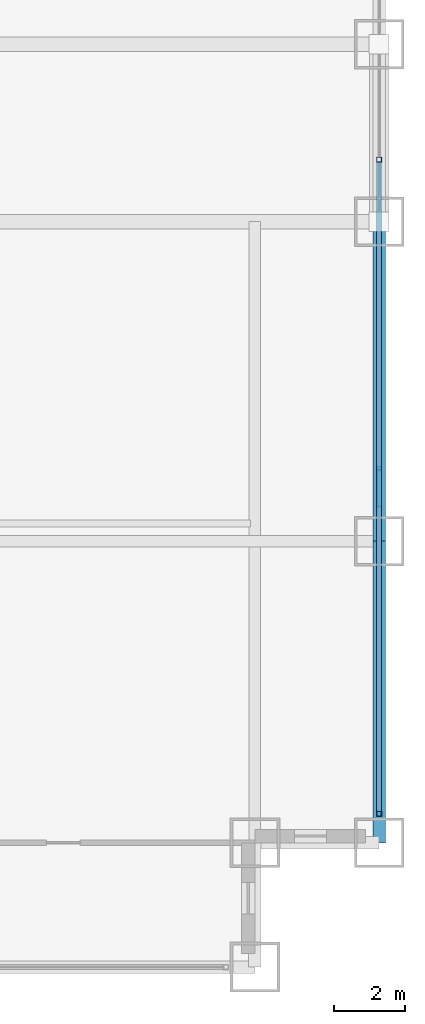
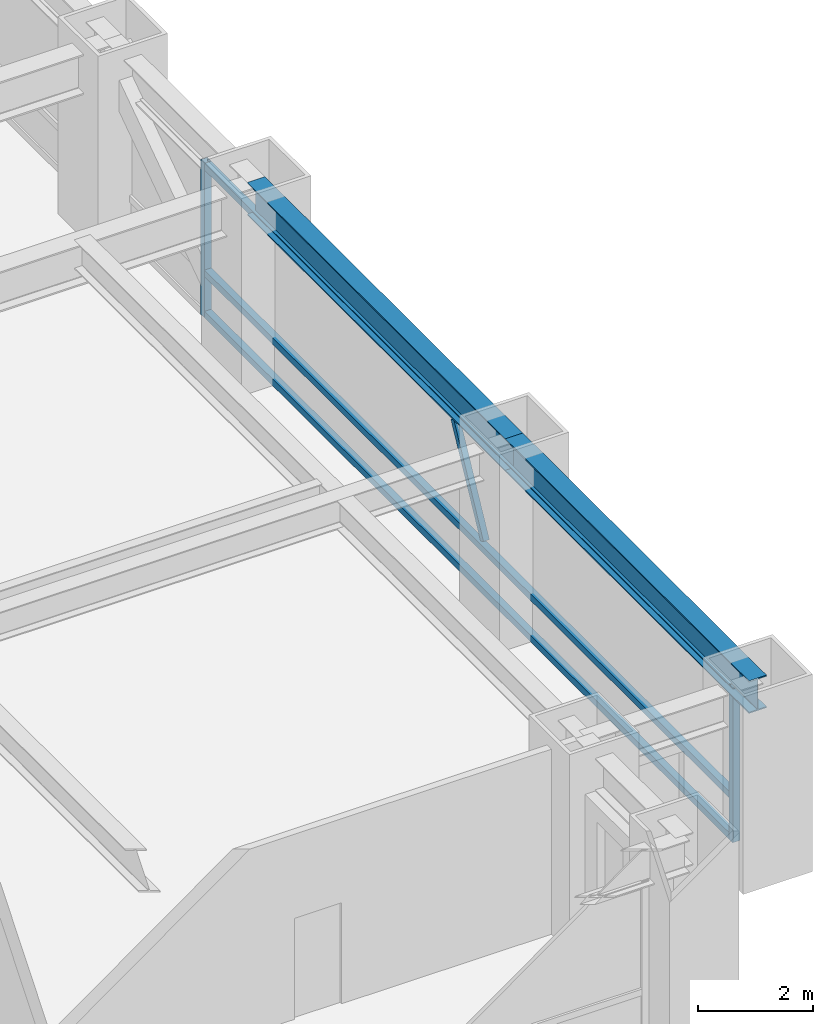
# One storey, part 16 of 28: 6 members, 2 beams, 1 element without a shape of its own.
"""IFC4 building model written with IfcOpenShell, lengths in metres."""

from ifc_helpers import new_model, si_unit, direction, frame, origin, origin_2d, place, context, subcontext, project, spatial, hollow_rectangle, i_section, extrude, source, transform, mapped, material, material_profile, profile_set, type_object, element, aggregate, save


model = new_model("IFC4")

# Units and contexts
model_context = context("Model", 3, precision=1e-05, world=origin(), true_north=direction((0.0, 1.0)))
body_context = subcontext(model_context, "Body", "Model", "MODEL_VIEW")
ifc_project = project(units=[si_unit("LENGTHUNIT", "METRE"), si_unit("AREAUNIT", "SQUARE_METRE"), si_unit("VOLUMEUNIT", "CUBIC_METRE"), si_unit("PLANEANGLEUNIT", "RADIAN"), si_unit("MASSUNIT", "GRAM", prefix="KILO")], contexts=[model_context])

# Site, building, storey
site_placement = place(None, origin())
site = spatial("IfcSite", under=ifc_project, at=site_placement, CompositionType="ELEMENT")
building_placement = place(site_placement, origin())
building = spatial("IfcBuilding", under=site, at=building_placement, Name="Khorayat Bourse Tower", CompositionType="ELEMENT")
storey_placement = place(building_placement, frame((0.0, 0.0, 62.0)))
storey = spatial("IfcBuildingStorey", under=building, at=storey_placement, Name="L13", CompositionType="ELEMENT", Elevation=62.0)

# Beams
ifc_material_1 = material(Name="Steel ASTM A992 Grade 50", Category="steel")
ifc_material_profile_1 = material_profile(ifc_material_1, i_section(OverallWidth=0.35498046875, OverallDepth=0.695068359375, WebThickness=0.015380859375, FlangeThickness=0.02490234375, FilletRadius=0.01806640625, at=origin_2d()), Name="W690X217")
ifc_profile_set_1 = profile_set([ifc_material_profile_1], Name="Steel ASTM A992 Grade 50")
beam_type = type_object("IfcBeamType", Name="BM-SPAN-690", PredefinedType="SPANDREL", material=ifc_profile_set_1)
shared_shape_1 = source(origin(), body_context, "Body", "SweptSolid", [
    extrude(i_section(OverallWidth=0.35498046875, OverallDepth=0.695068359375, WebThickness=0.015380859375, FlangeThickness=0.02490234375, FilletRadius=0.01806640625, at=origin_2d()), origin(), (0.0, 0.0, 1.0), 8.5),
])
beam_1_placement = place(storey_placement, frame((32.0, -28.5, 3.592529296875), z_axis=(0.0, 1.0, 0.0), x_axis=(-1.0, 0.0, 0.0)))
element("IfcBeam", 1, at=beam_1_placement, inside=storey, type_object=beam_type, Name="L13 BM-SPAN-690 BM-L13-SPN-034", PredefinedType="SPANDREL", context=body_context, shape_type="MappedRepresentation", body=[
    mapped(shared_shape_1, transform((0.0, 0.0, 0.0), scale=1.0)),
])
shared_shape_2 = source(origin(), body_context, "Body", "SweptSolid", [
    extrude(i_section(OverallWidth=0.35498046875, OverallDepth=0.695068359375, WebThickness=0.015380859375, FlangeThickness=0.02490234375, FilletRadius=0.01806640625, at=origin_2d()), origin(), (0.0, 0.0, 1.0), 9.0),
])
beam_2_placement = place(storey_placement, frame((32.0, -20.0, 3.592529296875), z_axis=(0.0, 1.0, 0.0), x_axis=(-1.0, 0.0, 0.0)))
element("IfcBeam", 2, at=beam_2_placement, inside=storey, type_object=beam_type, Name="L13 BM-SPAN-690 BM-L13-SPN-035", PredefinedType="SPANDREL", context=body_context, shape_type="MappedRepresentation", body=[
    mapped(shared_shape_2, transform((0.0, 0.0, 0.0), scale=1.0)),
])

# Curtain wall, members
ifc_material_2 = material(Name="Aluminium EN AW-6063 T6", Category="aluminium")
curtain_wall_type = type_object("IfcCurtainWallType", Name="CW-SYS-02", PredefinedType="NOTDEFINED", material=ifc_material_2)
curtain_wall_placement = place(storey_placement, origin())
curtain_wall = element("IfcCurtainWall", 3, at=curtain_wall_placement, inside=storey, type_object=curtain_wall_type, Name="L13 Curtain Wall CW-L13-E1", PredefinedType="NOTDEFINED")
ifc_material_profile_2 = material_profile(ifc_material_2, hollow_rectangle(XDim=0.139892578125, YDim=0.139892578125, WallThickness=0.006103515625, at=origin_2d()), Name="ALU 140x140x6")
ifc_profile_set_2 = profile_set([ifc_material_profile_2], Name="Aluminium EN AW-6063 T6")
member_type_1 = type_object("IfcMemberType", Name="CWT-HORZ-140", PredefinedType="USERDEFINED", material=ifc_profile_set_2)
shared_shape_3 = source(origin(), body_context, "Body", "SweptSolid", [
    extrude(hollow_rectangle(XDim=0.139892578125, YDim=0.139892578125, WallThickness=0.006103515625, at=origin_2d()), origin(), (0.0, 0.0, 1.0), 18.2900390625),
])
member_1_placement = place(storey_placement, frame((32.0, -27.610107421875, 0.070068359375), z_axis=(0.0, 1.0, 0.0), x_axis=(-1.0, 0.0, 0.0)))
member_1 = element("IfcMember", 4, at=member_1_placement, type_object=member_type_1, Name="CW-L13-E1 Horizontal Transom 1-1", ObjectType="TRANSOM", PredefinedType="USERDEFINED", context=body_context, shape_type="MappedRepresentation", body=[
    mapped(shared_shape_3, transform((0.0, 0.0, 0.0), scale=1.0)),
])
member_2_placement = place(storey_placement, frame((32.0, -27.610107421875, 0.949951171875), z_axis=(0.0, 1.0, 0.0), x_axis=(-1.0, 0.0, 0.0)))
member_2 = element("IfcMember", 5, at=member_2_placement, type_object=member_type_1, Name="CW-L13-E1 Horizontal Transom 1-2", ObjectType="TRANSOM", PredefinedType="USERDEFINED", context=body_context, shape_type="MappedRepresentation", body=[
    mapped(shared_shape_3, transform((0.0, 0.0, 0.0), scale=1.0)),
])
member_3_placement = place(storey_placement, frame((32.0, -27.610107421875, 3.219970703125), z_axis=(0.0, 1.0, 0.0), x_axis=(-1.0, 0.0, 0.0)))
member_3 = element("IfcMember", 6, at=member_3_placement, type_object=member_type_1, Name="CW-L13-E1 Horizontal Transom 1-3", ObjectType="TRANSOM", PredefinedType="USERDEFINED", context=body_context, shape_type="MappedRepresentation", body=[
    mapped(shared_shape_3, transform((0.0, 0.0, 0.0), scale=1.0)),
])
ifc_material_profile_3 = material_profile(ifc_material_2, hollow_rectangle(XDim=0.1201171875, YDim=0.1201171875, WallThickness=0.0048828125, at=origin_2d()), Name="ALU 120x120x5")
ifc_profile_set_3 = profile_set([ifc_material_profile_3], Name="Aluminium EN AW-6063 T6")
member_type_2 = type_object("IfcMemberType", Name="CWM-DIAG-120", PredefinedType="MULLION", material=ifc_profile_set_3)
shared_shape_4 = source(origin(), body_context, "Body", "SweptSolid", [
    extrude(hollow_rectangle(XDim=0.1201171875, YDim=0.1201171875, WallThickness=0.0048828125, at=origin_2d()), origin(), (0.0, 0.0, 1.0), 2.22607421875),
])
member_4_placement = place(storey_placement, frame((32.0, -18.9833984375, 1.10009765625), z_axis=(0.0, 0.465759992596, 0.884911085532), x_axis=(-1.0, 0.0, 0.0)))
member_4 = element("IfcMember", 7, at=member_4_placement, type_object=member_type_2, Name="CW-L13-E1 Faceted Diagonal Mullion 1", PredefinedType="MULLION", context=body_context, shape_type="MappedRepresentation", body=[
    mapped(shared_shape_4, transform((0.0, 0.0, 0.0), scale=1.0)),
])
ifc_material_profile_4 = material_profile(ifc_material_2, hollow_rectangle(XDim=0.139892578125, YDim=0.139892578125, WallThickness=0.006103515625, at=origin_2d()), Name="ALU 140x140x6")
ifc_profile_set_4 = profile_set([ifc_material_profile_4], Name="Aluminium EN AW-6063 T6")
member_type_3 = type_object("IfcMemberType", Name="CWM-VERT-140", PredefinedType="MULLION", material=ifc_profile_set_4)
shared_shape_5 = source(origin(), body_context, "Body", "SweptSolid", [
    extrude(hollow_rectangle(XDim=0.139892578125, YDim=0.139892578125, WallThickness=0.006103515625, at=origin_2d()), origin(), (0.0, 0.0, 1.0), 3.2900390625),
])
member_5_placement = place(storey_placement, frame((32.0, -27.679931640625, 0.0), z_axis=(0.0, 0.0, 1.0), x_axis=(-1.0, 0.0, 0.0)))
member_5 = element("IfcMember", 8, at=member_5_placement, type_object=member_type_3, Name="CW-L13-E1 Vertical Mullion 1", PredefinedType="MULLION", context=body_context, shape_type="MappedRepresentation", body=[
    mapped(shared_shape_5, transform((0.0, 0.0, 0.0), scale=1.0)),
])
member_6_placement = place(storey_placement, frame((32.0, -9.25, 0.0), z_axis=(0.0, 0.0, 1.0), x_axis=(-1.0, 0.0, 0.0)))
member_6 = element("IfcMember", 9, at=member_6_placement, type_object=member_type_3, Name="CW-L13-E1 Vertical Mullion 2", PredefinedType="MULLION", context=body_context, shape_type="MappedRepresentation", body=[
    mapped(shared_shape_5, transform((0.0, 0.0, 0.0), scale=1.0)),
])
aggregate(curtain_wall, [member_5, member_6, member_1, member_2, member_3, member_4])

save(model, "model.ifc")
